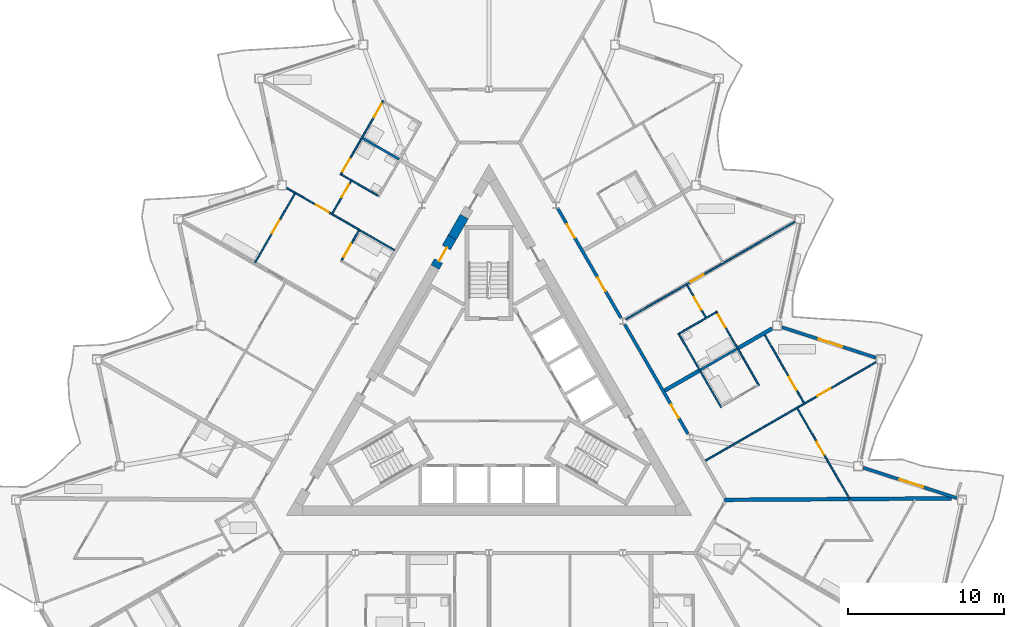
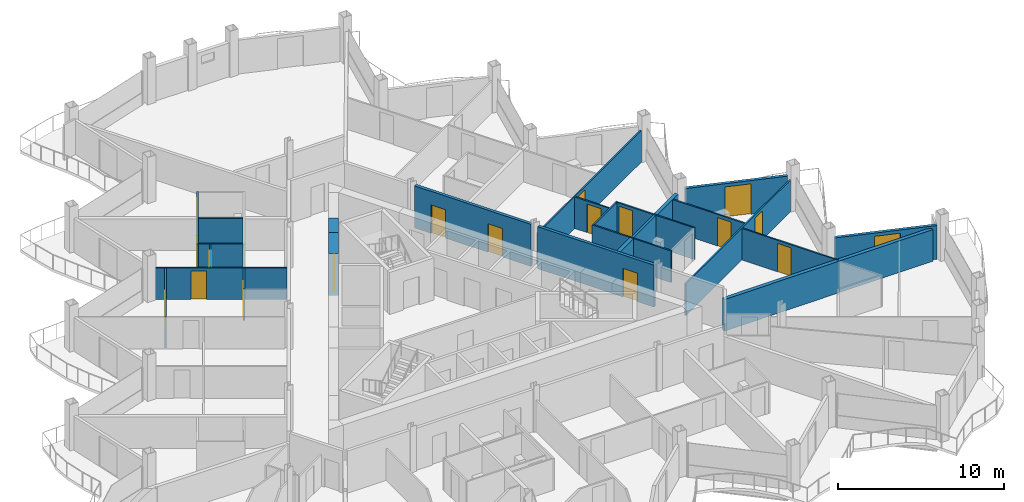
# One storey, part 16 of 26: 26 walls, 18 doors, 18 openings.
"""IFC4 building model written with IfcOpenShell, lengths in metres."""

from ifc_helpers import new_model, si_unit, direction, frame, frame_2d, origin, place, context, subcontext, project, spatial, rectangle, extrude, material, layer, layer_set, type_object, element, fill, save


model = new_model("IFC4")

# Units and contexts
model_context = context("Model", 3, precision=1e-05, world=origin(), true_north=direction((0.0, 1.0)))
body_context = subcontext(model_context, "Body", "Model", "MODEL_VIEW")
ifc_project = project(units=[si_unit("LENGTHUNIT", "METRE"), si_unit("AREAUNIT", "SQUARE_METRE"), si_unit("VOLUMEUNIT", "CUBIC_METRE"), si_unit("PLANEANGLEUNIT", "RADIAN"), si_unit("MASSUNIT", "GRAM", prefix="KILO")], contexts=[model_context])

# Site, building, storey
site_placement = place(None, origin())
site = spatial("IfcSite", under=ifc_project, at=site_placement, CompositionType="ELEMENT")
building_placement = place(site_placement, origin())
building = spatial("IfcBuilding", under=site, at=building_placement, Name="Cormorant Prow Tower", CompositionType="ELEMENT")
storey_placement = place(building_placement, frame((0.0, 0.0, 342.60009765625)))
storey = spatial("IfcBuildingStorey", under=building, at=storey_placement, Name="L77", CompositionType="ELEMENT", Elevation=342.60009765625)

# Wall
ifc_material_1 = material(Name="Concrete 8000 psi", Category="concrete")
ifc_layer_1 = layer(ifc_material_1, 0.60009765625)
ifc_layer_set_1 = layer_set([ifc_layer_1], Name="Concrete 8000 psi")
wall_type_1 = type_object("IfcWallType", Name="Core shear wall 600", PredefinedType="SHEAR", material=ifc_layer_set_1)
wall_1_placement = place(storey_placement, frame((-1.589599609375, 11.65771484375, 0.0), z_axis=(0.0, 0.0, 1.0), x_axis=(-0.500037594623, -0.866003697431, 0.0)))
element("IfcWall", 1, at=wall_1_placement, inside=storey, type_object=wall_type_1, Name="Core wall", PredefinedType="SHEAR", context=body_context, shape_type="SweptSolid", body=[
    extrude(rectangle(XDim=1.54248046875, YDim=0.60009765625, at=frame_2d((0.771240234375, 0.0))), origin(), (0.0, 0.0, 1.0), 3.099853515625),
])

# Wall, opening, door
wall_2_placement = place(storey_placement, frame((-2.36083984375, 10.322021484375, 0.0), z_axis=(0.0, 0.0, 1.0), x_axis=(-0.499946605688, -0.86605622881, 0.0)))
wall_2 = element("IfcWall", 2, at=wall_2_placement, inside=storey, type_object=wall_type_1, Name="Core wall door panel", PredefinedType="SHEAR", context=body_context, shape_type="SweptSolid", body=[
    extrude(rectangle(XDim=2.199951171875, YDim=0.60009765625, at=frame_2d((1.10009765625, 0.0))), origin(), (0.0, 0.0, 1.0), 3.099853515625),
])
opening_1_placement = place(wall_2_placement, frame((0.75, 0.0, 0.0)))
opening_1 = element("IfcOpeningElement", 3, at=opening_1_placement, cuts=wall_2, Name="Opening L77-C18", PredefinedType="OPENING", context=body_context, shape_type="SweptSolid", body=[
    extrude(rectangle(XDim=1.0, YDim=2.10009765625, at=frame_2d((0.5, 1.050048828125))), frame((0.0, 0.31005859375, 0.0), z_axis=(0.0, -1.0, 0.0), x_axis=(1.0, 0.0, 0.0)), (0.0, 0.0, 1.0), 0.6201171875),
])
ifc_material_2 = material(Name="Painted steel", Category="steel")
door_type_1 = type_object("IfcDoorType", Name="Service door 1000x2100", OperationType="NOTDEFINED", PredefinedType="DOOR", material=ifc_material_2)
door_1_placement = place(opening_1_placement, origin())
door_1 = element("IfcDoor", 4, at=door_1_placement, inside=storey, type_object=door_type_1, Name="Core door, Mechanical riser room", OperationType="SINGLE_SWING_LEFT", OverallHeight=2.10009765625, OverallWidth=1.0, PredefinedType="DOOR", context=body_context, shape_type="SweptSolid", body=[
    extrude(rectangle(XDim=1.0, YDim=2.10009765625, at=frame_2d((0.5, 1.050048828125))), frame((0.0, 0.05517578125, 0.0), z_axis=(0.0, -1.0, 0.0), x_axis=(1.0, 0.0, 0.0)), (0.0, 0.0, 1.0), 0.050048828125),
])
fill(opening_1, door_1)

# Wall, openings, doors
ifc_material_3 = material(Name="Gypsum board corridor wall")
ifc_layer_2 = layer(ifc_material_3, 0.199951171875)
ifc_layer_set_2 = layer_set([ifc_layer_2], Name="Gypsum board corridor wall")
wall_type_2 = type_object("IfcWallType", Name="Corridor wall 200", PredefinedType="PARTITIONING", material=ifc_layer_set_2)
wall_3_placement = place(storey_placement, frame((4.4091796875, 12.17431640625, 0.0), z_axis=(0.0, 0.0, 1.0), x_axis=(0.499984266882, -0.866034487114, 0.0)))
wall_3 = element("IfcWall", 5, at=wall_3_placement, inside=storey, type_object=wall_type_2, Name="Corridor wall", PredefinedType="PARTITIONING", context=body_context, shape_type="SweptSolid", body=[
    extrude(rectangle(XDim=8.098876953125, YDim=0.199951171875, at=frame_2d((4.04931640625, 0.0))), origin(), (0.0, 0.0, 1.0), 3.099853515625),
])
opening_2_placement = place(wall_3_placement, frame((5.123046875, 0.0, 0.0)))
opening_2 = element("IfcOpeningElement", 6, at=opening_2_placement, cuts=wall_3, Name="Opening L77-F28", PredefinedType="OPENING", context=body_context, shape_type="SweptSolid", body=[
    extrude(rectangle(XDim=1.0, YDim=2.10009765625, at=frame_2d((0.5, 1.050048828125))), frame((0.0, 0.10986328125, 0.0), z_axis=(0.0, -1.0, 0.0), x_axis=(1.0, 0.0, 0.0)), (0.0, 0.0, 1.0), 0.219970703125),
])
opening_3_placement = place(wall_3_placement, frame((1.16357421875, 0.0, 0.0)))
opening_3 = element("IfcOpeningElement", 7, at=opening_3_placement, cuts=wall_3, Name="Opening L77-F33", PredefinedType="OPENING", context=body_context, shape_type="SweptSolid", body=[
    extrude(rectangle(XDim=1.0, YDim=2.10009765625, at=frame_2d((0.5, 1.050048828125))), frame((0.0, 0.10986328125, 0.0), z_axis=(0.0, -1.0, 0.0), x_axis=(1.0, 0.0, 0.0)), (0.0, 0.0, 1.0), 0.219970703125),
])
ifc_material_4 = material(Name="Timber door leaf", Category="wood")
door_type_2 = type_object("IfcDoorType", Name="Flat or room entrance door 1000x2100", OperationType="NOTDEFINED", PredefinedType="DOOR", material=ifc_material_4)
door_2_placement = place(opening_2_placement, origin())
door_2 = element("IfcDoor", 8, at=door_2_placement, inside=storey, type_object=door_type_2, Name="Living room door", OperationType="SINGLE_SWING_RIGHT", OverallHeight=2.10009765625, OverallWidth=1.0, PredefinedType="DOOR", context=body_context, shape_type="SweptSolid", body=[
    extrude(rectangle(XDim=1.0, YDim=2.10009765625, at=frame_2d((0.5, 1.050048828125))), frame((0.0, 0.02490234375, 0.0), z_axis=(0.0, -1.0, 0.0), x_axis=(1.0, 0.0, 0.0)), (0.0, 0.0, 1.0), 0.050048828125),
])
fill(opening_2, door_2)
door_3_placement = place(opening_3_placement, origin())
door_3 = element("IfcDoor", 9, at=door_3_placement, inside=storey, type_object=door_type_2, Name="Living room door", OperationType="SINGLE_SWING_RIGHT", OverallHeight=2.10009765625, OverallWidth=1.0, PredefinedType="DOOR", context=body_context, shape_type="SweptSolid", body=[
    extrude(rectangle(XDim=1.0, YDim=2.10009765625, at=frame_2d((0.5, 1.050048828125))), frame((0.0, 0.02490234375, 0.0), z_axis=(0.0, -1.0, 0.0), x_axis=(1.0, 0.0, 0.0)), (0.0, 0.0, 1.0), 0.050048828125),
])
fill(opening_3, door_3)

# Wall, opening, door
wall_4_placement = place(storey_placement, frame((8.698486328125, 4.7451171875, 0.0), z_axis=(0.0, 0.0, 1.0), x_axis=(0.499984266882, -0.866034487114, 0.0)))
wall_4 = element("IfcWall", 10, at=wall_4_placement, inside=storey, type_object=wall_type_2, Name="Corridor wall", PredefinedType="PARTITIONING", context=body_context, shape_type="SweptSolid", body=[
    extrude(rectangle(XDim=8.098876953125, YDim=0.199951171875, at=frame_2d((4.04931640625, 0.0))), origin(), (0.0, 0.0, 1.0), 3.099853515625),
])
opening_4_placement = place(wall_4_placement, frame((5.93505859375, 0.0, 0.0)))
opening_4 = element("IfcOpeningElement", 11, at=opening_4_placement, cuts=wall_4, Name="Opening L77-F23", PredefinedType="OPENING", context=body_context, shape_type="SweptSolid", body=[
    extrude(rectangle(XDim=1.0, YDim=2.10009765625, at=frame_2d((0.5, 1.050048828125))), frame((0.0, 0.10986328125, 0.0), z_axis=(0.0, -1.0, 0.0), x_axis=(1.0, 0.0, 0.0)), (0.0, 0.0, 1.0), 0.219970703125),
])
door_4_placement = place(opening_4_placement, origin())
door_4 = element("IfcDoor", 12, at=door_4_placement, inside=storey, type_object=door_type_2, Name="Living room door", OperationType="SINGLE_SWING_LEFT", OverallHeight=2.10009765625, OverallWidth=1.0, PredefinedType="DOOR", context=body_context, shape_type="SweptSolid", body=[
    extrude(rectangle(XDim=1.0, YDim=2.10009765625, at=frame_2d((0.5, 1.050048828125))), frame((0.0, 0.02490234375, 0.0), z_axis=(0.0, -1.0, 0.0), x_axis=(1.0, 0.0, 0.0)), (0.0, 0.0, 1.0), 0.050048828125),
])
fill(opening_4, door_4)

ifc_material_5 = material(Name="Gypsum board partition")
ifc_layer_3 = layer(ifc_material_5, 0.10009765625)
ifc_layer_set_3 = layer_set([ifc_layer_3], Name="Gypsum board partition")
wall_type_3 = type_object("IfcWallType", Name="Internal partition 100", PredefinedType="PARTITIONING", material=ifc_layer_set_3)
wall_5_placement = place(storey_placement, frame((13.862548828125, -3.99951171875, 0.0), z_axis=(0.0, 0.0, 1.0), x_axis=(0.866033203648, 0.499986489997, 0.0)))
wall_5 = element("IfcWall", 13, at=wall_5_placement, inside=storey, type_object=wall_type_3, Name="Internal partition", PredefinedType="PARTITIONING", context=body_context, shape_type="SweptSolid", body=[
    extrude(rectangle(XDim=12.646240234375, YDim=0.10009765625, at=frame_2d((6.3232421875, 0.0))), origin(), (0.0, 0.0, 1.0), 2.330078125),
])
opening_5_placement = place(wall_5_placement, frame((8.3193359375, 0.0, 0.0)))
opening_5 = element("IfcOpeningElement", 14, at=opening_5_placement, cuts=wall_5, Name="Opening L77-F26", PredefinedType="OPENING", context=body_context, shape_type="SweptSolid", body=[
    extrude(rectangle(XDim=0.949951171875, YDim=2.10009765625, at=frame_2d((0.47509765625, 1.050048828125))), frame((0.0, 0.06005859375, 0.0), z_axis=(0.0, -1.0, 0.0), x_axis=(1.0, 0.0, 0.0)), (0.0, 0.0, 1.0), 0.1201171875),
])
ifc_material_6 = material(Name="Timber door leaf", Category="wood")
door_type_3 = type_object("IfcDoorType", Name="Bathroom door 950x2100", OperationType="NOTDEFINED", PredefinedType="DOOR", material=ifc_material_6)
door_5_placement = place(opening_5_placement, origin())
door_5 = element("IfcDoor", 15, at=door_5_placement, inside=storey, type_object=door_type_3, Name="Kitchen door", OperationType="SINGLE_SWING_LEFT", OverallHeight=2.10009765625, OverallWidth=0.949951171875, PredefinedType="DOOR", context=body_context, shape_type="SweptSolid", body=[
    extrude(rectangle(XDim=0.949951171875, YDim=2.10009765625, at=frame_2d((0.47509765625, 1.050048828125))), frame((0.0, 0.02490234375, 0.0), z_axis=(0.0, -1.0, 0.0), x_axis=(1.0, 0.0, 0.0)), (0.0, 0.0, 1.0), 0.050048828125),
])
fill(opening_5, door_5)

wall_6_placement = place(storey_placement, frame((8.7861328125, 5.07275390625, 0.0), z_axis=(0.0, 0.0, 1.0), x_axis=(0.86602139559, 0.500006942333, 0.0)))
wall_6 = element("IfcWall", 16, at=wall_6_placement, inside=storey, type_object=wall_type_3, Name="Internal partition", PredefinedType="PARTITIONING", context=body_context, shape_type="SweptSolid", body=[
    extrude(rectangle(XDim=12.504638671875, YDim=0.10009765625, at=frame_2d((6.25244140625, 0.0))), origin(), (0.0, 0.0, 1.0), 2.330078125),
])
opening_6_placement = place(wall_6_placement, frame((4.7724609375, 0.0, 0.0)))
opening_6 = element("IfcOpeningElement", 17, at=opening_6_placement, cuts=wall_6, Name="Opening L77-F30", PredefinedType="OPENING", context=body_context, shape_type="SweptSolid", body=[
    extrude(rectangle(XDim=0.949951171875, YDim=2.10009765625, at=frame_2d((0.47509765625, 1.050048828125))), frame((0.0, 0.06005859375, 0.0), z_axis=(0.0, -1.0, 0.0), x_axis=(1.0, 0.0, 0.0)), (0.0, 0.0, 1.0), 0.1201171875),
])
door_6_placement = place(opening_6_placement, origin())
door_6 = element("IfcDoor", 18, at=door_6_placement, inside=storey, type_object=door_type_3, Name="Living room door", OperationType="SINGLE_SWING_LEFT", OverallHeight=2.10009765625, OverallWidth=0.949951171875, PredefinedType="DOOR", context=body_context, shape_type="SweptSolid", body=[
    extrude(rectangle(XDim=0.949951171875, YDim=2.10009765625, at=frame_2d((0.47509765625, 1.050048828125))), frame((0.0, 0.02490234375, 0.0), z_axis=(0.0, -1.0, 0.0), x_axis=(1.0, 0.0, 0.0)), (0.0, 0.0, 1.0), 0.050048828125),
])
fill(opening_6, door_6)

wall_7_placement = place(storey_placement, frame((-12.9619140625, 13.485107421875, 0.0), z_axis=(0.0, 0.0, 1.0), x_axis=(0.866021168401, -0.500007335828, 0.0)))
wall_7 = element("IfcWall", 19, at=wall_7_placement, inside=storey, type_object=wall_type_3, Name="Internal partition", PredefinedType="PARTITIONING", context=body_context, shape_type="SweptSolid", body=[
    extrude(rectangle(XDim=7.96240234375, YDim=0.10009765625, at=frame_2d((3.981201171875, 0.0))), origin(), (0.0, 0.0, 1.0), 2.330078125),
])
opening_7_placement = place(wall_7_placement, frame((2.153564453125, 0.0, 0.0)))
opening_7 = element("IfcOpeningElement", 20, at=opening_7_placement, cuts=wall_7, Name="Opening L77-F45", PredefinedType="OPENING", context=body_context, shape_type="SweptSolid", body=[
    extrude(rectangle(XDim=0.949951171875, YDim=2.10009765625, at=frame_2d((0.47509765625, 1.050048828125))), frame((0.0, 0.06005859375, 0.0), z_axis=(0.0, -1.0, 0.0), x_axis=(1.0, 0.0, 0.0)), (0.0, 0.0, 1.0), 0.1201171875),
])
door_7_placement = place(opening_7_placement, origin())
door_7 = element("IfcDoor", 21, at=door_7_placement, inside=storey, type_object=door_type_3, Name="Living room door", OperationType="SINGLE_SWING_RIGHT", OverallHeight=2.10009765625, OverallWidth=0.949951171875, PredefinedType="DOOR", context=body_context, shape_type="SweptSolid", body=[
    extrude(rectangle(XDim=0.949951171875, YDim=2.10009765625, at=frame_2d((0.47509765625, 1.050048828125))), frame((0.0, 0.02490234375, 0.0), z_axis=(0.0, -1.0, 0.0), x_axis=(1.0, 0.0, 0.0)), (0.0, 0.0, 1.0), 0.050048828125),
])
fill(opening_7, door_7)

wall_8_placement = place(storey_placement, frame((19.772705078125, -0.64501953125, 0.0), z_axis=(0.0, 0.0, 1.0), x_axis=(0.499998644583, -0.866026186333, 0.0)))
wall_8 = element("IfcWall", 22, at=wall_8_placement, inside=storey, type_object=wall_type_3, Name="Internal partition", PredefinedType="PARTITIONING", context=body_context, shape_type="SweptSolid", body=[
    extrude(rectangle(XDim=6.7080078125, YDim=0.10009765625, at=frame_2d((3.35400390625, 0.0))), origin(), (0.0, 0.0, 1.0), 2.330078125),
])
opening_8_placement = place(wall_8_placement, frame((2.474609375, 0.0, 0.0)))
opening_8 = element("IfcOpeningElement", 23, at=opening_8_placement, cuts=wall_8, Name="Opening L77-F27", PredefinedType="OPENING", context=body_context, shape_type="SweptSolid", body=[
    extrude(rectangle(XDim=0.949951171875, YDim=2.10009765625, at=frame_2d((0.47509765625, 1.050048828125))), frame((0.0, 0.06005859375, 0.0), z_axis=(0.0, -1.0, 0.0), x_axis=(1.0, 0.0, 0.0)), (0.0, 0.0, 1.0), 0.1201171875),
])
door_8_placement = place(opening_8_placement, origin())
door_8 = element("IfcDoor", 24, at=door_8_placement, inside=storey, type_object=door_type_3, Name="Bedroom door", OperationType="SINGLE_SWING_LEFT", OverallHeight=2.10009765625, OverallWidth=0.949951171875, PredefinedType="DOOR", context=body_context, shape_type="SweptSolid", body=[
    extrude(rectangle(XDim=0.949951171875, YDim=2.10009765625, at=frame_2d((0.47509765625, 1.050048828125))), frame((0.0, 0.02490234375, 0.0), z_axis=(0.0, -1.0, 0.0), x_axis=(1.0, 0.0, 0.0)), (0.0, 0.0, 1.0), 0.050048828125),
])
fill(opening_8, door_8)

# Wall, openings, doors
wall_9_placement = place(storey_placement, frame((-9.51904296875, 14.323486328125, 0.0), z_axis=(0.0, 0.0, 1.0), x_axis=(0.499996545922, 0.866027397988, 0.0)))
wall_9 = element("IfcWall", 25, at=wall_9_placement, inside=storey, type_object=wall_type_3, Name="Internal partition", PredefinedType="PARTITIONING", context=body_context, shape_type="SweptSolid", body=[
    extrude(rectangle(XDim=5.5, YDim=0.10009765625, at=frame_2d((2.75, 0.0))), origin(), (0.0, 0.0, 1.0), 2.330078125),
])
opening_9_placement = place(wall_9_placement, frame((4.300048828125, 0.0, 0.0)))
opening_9 = element("IfcOpeningElement", 26, at=opening_9_placement, cuts=wall_9, Name="Opening L77-F41", PredefinedType="OPENING", context=body_context, shape_type="SweptSolid", body=[
    extrude(rectangle(XDim=0.949951171875, YDim=2.10009765625, at=frame_2d((0.47509765625, 1.050048828125))), frame((0.0, 0.06005859375, 0.0), z_axis=(0.0, -1.0, 0.0), x_axis=(1.0, 0.0, 0.0)), (0.0, 0.0, 1.0), 0.1201171875),
])
opening_10_placement = place(wall_9_placement, frame((0.25, 0.0, 0.0)))
opening_10 = element("IfcOpeningElement", 27, at=opening_10_placement, cuts=wall_9, Name="Opening L77-F51", PredefinedType="OPENING", context=body_context, shape_type="SweptSolid", body=[
    extrude(rectangle(XDim=0.949951171875, YDim=2.10009765625, at=frame_2d((0.47509765625, 1.050048828125))), frame((0.0, 0.06005859375, 0.0), z_axis=(0.0, -1.0, 0.0), x_axis=(1.0, 0.0, 0.0)), (0.0, 0.0, 1.0), 0.1201171875),
])
door_9_placement = place(opening_9_placement, origin())
door_9 = element("IfcDoor", 28, at=door_9_placement, inside=storey, type_object=door_type_3, Name="Studio living, kitchen and sleeping room door", OperationType="SINGLE_SWING_RIGHT", OverallHeight=2.10009765625, OverallWidth=0.949951171875, PredefinedType="DOOR", context=body_context, shape_type="SweptSolid", body=[
    extrude(rectangle(XDim=0.949951171875, YDim=2.10009765625, at=frame_2d((0.47509765625, 1.050048828125))), frame((0.0, 0.02490234375, 0.0), z_axis=(0.0, -1.0, 0.0), x_axis=(1.0, 0.0, 0.0)), (0.0, 0.0, 1.0), 0.050048828125),
])
fill(opening_9, door_9)
door_10_placement = place(opening_10_placement, origin())
door_10 = element("IfcDoor", 29, at=door_10_placement, inside=storey, type_object=door_type_3, Name="Bedroom door", OperationType="SINGLE_SWING_LEFT", OverallHeight=2.10009765625, OverallWidth=0.949951171875, PredefinedType="DOOR", context=body_context, shape_type="SweptSolid", body=[
    extrude(rectangle(XDim=0.949951171875, YDim=2.10009765625, at=frame_2d((0.47509765625, 1.050048828125))), frame((0.0, 0.02490234375, 0.0), z_axis=(0.0, -1.0, 0.0), x_axis=(1.0, 0.0, 0.0)), (0.0, 0.0, 1.0), 0.050048828125),
])
fill(opening_10, door_10)

# Wall, opening, door
wall_10_placement = place(storey_placement, frame((14.5654296875, 5.583251953125, 0.0), z_axis=(0.0, 0.0, 1.0), x_axis=(0.499996545922, -0.866027397988, 0.0)))
wall_10 = element("IfcWall", 30, at=wall_10_placement, inside=storey, type_object=wall_type_3, Name="Internal partition", PredefinedType="PARTITIONING", context=body_context, shape_type="SweptSolid", body=[
    extrude(rectangle(XDim=5.5, YDim=0.10009765625, at=frame_2d((2.75, 0.0))), origin(), (0.0, 0.0, 1.0), 2.330078125),
])
opening_11_placement = place(wall_10_placement, frame((0.25, 0.0, 0.0)))
opening_11 = element("IfcOpeningElement", 31, at=opening_11_placement, cuts=wall_10, Name="Opening L77-F32", PredefinedType="OPENING", context=body_context, shape_type="SweptSolid", body=[
    extrude(rectangle(XDim=0.949951171875, YDim=2.10009765625, at=frame_2d((0.47509765625, 1.050048828125))), frame((0.0, 0.06005859375, 0.0), z_axis=(0.0, -1.0, 0.0), x_axis=(1.0, 0.0, 0.0)), (0.0, 0.0, 1.0), 0.1201171875),
])
door_11_placement = place(opening_11_placement, origin())
door_11 = element("IfcDoor", 32, at=door_11_placement, inside=storey, type_object=door_type_3, Name="Bedroom door", OperationType="SINGLE_SWING_LEFT", OverallHeight=2.10009765625, OverallWidth=0.949951171875, PredefinedType="DOOR", context=body_context, shape_type="SweptSolid", body=[
    extrude(rectangle(XDim=0.949951171875, YDim=2.10009765625, at=frame_2d((0.47509765625, 1.050048828125))), frame((0.0, 0.02490234375, 0.0), z_axis=(0.0, -1.0, 0.0), x_axis=(1.0, 0.0, 0.0)), (0.0, 0.0, 1.0), 0.050048828125),
])
fill(opening_11, door_11)

# Wall
wall_11_placement = place(storey_placement, frame((12.140380859375, 4.18310546875, 0.0), z_axis=(0.0, 0.0, 1.0), x_axis=(0.499996545922, -0.866027397988, 0.0)))
element("IfcWall", 33, at=wall_11_placement, inside=storey, type_object=wall_type_3, Name="Internal partition", PredefinedType="PARTITIONING", context=body_context, shape_type="SweptSolid", body=[
    extrude(rectangle(XDim=5.5, YDim=0.10009765625, at=frame_2d((2.75, 0.0))), origin(), (0.0, 0.0, 1.0), 2.330078125),
])

# Wall, opening, door
wall_12_placement = place(storey_placement, frame((-14.993896484375, 8.71435546875, 0.0), z_axis=(0.0, 0.0, 1.0), x_axis=(0.500012659481, 0.866018094706, 0.0)))
wall_12 = element("IfcWall", 34, at=wall_12_placement, inside=storey, type_object=wall_type_3, Name="Internal partition", PredefinedType="PARTITIONING", context=body_context, shape_type="SweptSolid", body=[
    extrude(rectangle(XDim=5.097412109375, YDim=0.10009765625, at=frame_2d((2.548828125, 0.0))), origin(), (0.0, 0.0, 1.0), 2.330078125),
])
opening_12_placement = place(wall_12_placement, frame((2.175048828125, 0.0, 0.0)))
opening_12 = element("IfcOpeningElement", 35, at=opening_12_placement, cuts=wall_12, Name="Opening L77-F44", PredefinedType="OPENING", context=body_context, shape_type="SweptSolid", body=[
    extrude(rectangle(XDim=0.949951171875, YDim=2.10009765625, at=frame_2d((0.47509765625, 1.050048828125))), frame((0.0, 0.06005859375, 0.0), z_axis=(0.0, -1.0, 0.0), x_axis=(1.0, 0.0, 0.0)), (0.0, 0.0, 1.0), 0.1201171875),
])
door_12_placement = place(opening_12_placement, origin())
door_12 = element("IfcDoor", 36, at=door_12_placement, inside=storey, type_object=door_type_3, Name="Living room door", OperationType="SINGLE_SWING_LEFT", OverallHeight=2.10009765625, OverallWidth=0.949951171875, PredefinedType="DOOR", context=body_context, shape_type="SweptSolid", body=[
    extrude(rectangle(XDim=0.949951171875, YDim=2.10009765625, at=frame_2d((0.47509765625, 1.050048828125))), frame((0.0, 0.02490234375, 0.0), z_axis=(0.0, -1.0, 0.0), x_axis=(1.0, 0.0, 0.0)), (0.0, 0.0, 1.0), 0.050048828125),
])
fill(opening_12, door_12)

wall_13_placement = place(storey_placement, frame((17.68017578125, 4.061767578125, 0.0), z_axis=(0.0, 0.0, 1.0), x_axis=(0.499997360652, -0.866026927608, 0.0)))
wall_13 = element("IfcWall", 37, at=wall_13_placement, inside=storey, type_object=wall_type_3, Name="Internal partition", PredefinedType="PARTITIONING", context=body_context, shape_type="SweptSolid", body=[
    extrude(rectangle(XDim=5.0224609375, YDim=0.10009765625, at=frame_2d((2.51123046875, 0.0))), origin(), (0.0, 0.0, 1.0), 2.330078125),
])
opening_13_placement = place(wall_13_placement, frame((3.10791015625, 0.0, 0.0)))
opening_13 = element("IfcOpeningElement", 38, at=opening_13_placement, cuts=wall_13, Name="Opening L77-F25", PredefinedType="OPENING", context=body_context, shape_type="SweptSolid", body=[
    extrude(rectangle(XDim=0.949951171875, YDim=2.10009765625, at=frame_2d((0.47509765625, 1.050048828125))), frame((0.0, 0.06005859375, 0.0), z_axis=(0.0, -1.0, 0.0), x_axis=(1.0, 0.0, 0.0)), (0.0, 0.0, 1.0), 0.1201171875),
])
door_13_placement = place(opening_13_placement, origin())
door_13 = element("IfcDoor", 39, at=door_13_placement, inside=storey, type_object=door_type_3, Name="Living room door", OperationType="SINGLE_SWING_RIGHT", OverallHeight=2.10009765625, OverallWidth=0.949951171875, PredefinedType="DOOR", context=body_context, shape_type="SweptSolid", body=[
    extrude(rectangle(XDim=0.949951171875, YDim=2.10009765625, at=frame_2d((0.47509765625, 1.050048828125))), frame((0.0, 0.02490234375, 0.0), z_axis=(0.0, -1.0, 0.0), x_axis=(1.0, 0.0, 0.0)), (0.0, 0.0, 1.0), 0.050048828125),
])
fill(opening_13, door_13)

# Walls
wall_14_placement = place(storey_placement, frame((-9.45068359375, 14.341796875, 0.0), z_axis=(0.0, 0.0, 1.0), x_axis=(0.866036505625, -0.499980770555, 0.0)))
element("IfcWall", 40, at=wall_14_placement, inside=storey, type_object=wall_type_3, Name="Internal partition", PredefinedType="PARTITIONING", context=body_context, shape_type="SweptSolid", body=[
    extrude(rectangle(XDim=2.69970703125, YDim=0.10009765625, at=frame_2d((1.349853515625, 0.0))), origin(), (0.0, 0.0, 1.0), 2.330078125),
])
wall_15_placement = place(storey_placement, frame((12.208740234375, 4.164794921875, 0.0), z_axis=(0.0, 0.0, 1.0), x_axis=(0.866019956843, 0.50000943426, 0.0)))
element("IfcWall", 41, at=wall_15_placement, inside=storey, type_object=wall_type_3, Name="Internal partition", PredefinedType="PARTITIONING", context=body_context, shape_type="SweptSolid", body=[
    extrude(rectangle(XDim=2.7001953125, YDim=0.10009765625, at=frame_2d((1.35009765625, 0.0))), origin(), (0.0, 0.0, 1.0), 2.330078125),
])

# Wall, opening, door
wall_16_placement = place(storey_placement, frame((12.696044921875, 7.272216796875, 0.0), z_axis=(0.0, 0.0, 1.0), x_axis=(0.500016292001, -0.866015997389, 0.0)))
wall_16 = element("IfcWall", 42, at=wall_16_placement, inside=storey, type_object=wall_type_3, Name="Internal partition", PredefinedType="PARTITIONING", context=body_context, shape_type="SweptSolid", body=[
    extrude(rectangle(XDim=2.3974609375, YDim=0.10009765625, at=frame_2d((1.19873046875, 0.0))), origin(), (0.0, 0.0, 1.0), 2.330078125),
])
opening_14_placement = place(wall_16_placement, frame((0.881591796875, 0.0, 0.0)))
opening_14 = element("IfcOpeningElement", 43, at=opening_14_placement, cuts=wall_16, Name="Opening L77-F31", PredefinedType="OPENING", context=body_context, shape_type="SweptSolid", body=[
    extrude(rectangle(XDim=0.949951171875, YDim=2.10009765625, at=frame_2d((0.47509765625, 1.050048828125))), frame((0.0, 0.06005859375, 0.0), z_axis=(0.0, -1.0, 0.0), x_axis=(1.0, 0.0, 0.0)), (0.0, 0.0, 1.0), 0.1201171875),
])
door_14_placement = place(opening_14_placement, origin())
door_14 = element("IfcDoor", 44, at=door_14_placement, inside=storey, type_object=door_type_3, Name="Bedroom door", OperationType="SINGLE_SWING_RIGHT", OverallHeight=2.10009765625, OverallWidth=0.949951171875, PredefinedType="DOOR", context=body_context, shape_type="SweptSolid", body=[
    extrude(rectangle(XDim=0.949951171875, YDim=2.10009765625, at=frame_2d((0.47509765625, 1.050048828125))), frame((0.0, 0.02490234375, 0.0), z_axis=(0.0, -1.0, 0.0), x_axis=(1.0, 0.0, 0.0)), (0.0, 0.0, 1.0), 0.050048828125),
])
fill(opening_14, door_14)

wall_17_placement = place(storey_placement, frame((-10.04736328125, 11.860107421875, 0.0), z_axis=(0.0, 0.0, 1.0), x_axis=(0.500092661743, 0.865971898892, 0.0)))
wall_17 = element("IfcWall", 45, at=wall_17_placement, inside=storey, type_object=wall_type_3, Name="Internal partition", PredefinedType="PARTITIONING", context=body_context, shape_type="SweptSolid", body=[
    extrude(rectangle(XDim=2.3974609375, YDim=0.10009765625, at=frame_2d((1.19873046875, 0.0))), origin(), (0.0, 0.0, 1.0), 2.330078125),
])
opening_15_placement = place(wall_17_placement, frame((1.197509765625, 0.0, 0.0)))
opening_15 = element("IfcOpeningElement", 46, at=opening_15_placement, cuts=wall_17, Name="Opening L77-F46", PredefinedType="OPENING", context=body_context, shape_type="SweptSolid", body=[
    extrude(rectangle(XDim=0.949951171875, YDim=2.10009765625, at=frame_2d((0.47509765625, 1.050048828125))), frame((0.0, 0.06005859375, 0.0), z_axis=(0.0, -1.0, 0.0), x_axis=(1.0, 0.0, 0.0)), (0.0, 0.0, 1.0), 0.1201171875),
])
door_15_placement = place(opening_15_placement, origin())
door_15 = element("IfcDoor", 47, at=door_15_placement, inside=storey, type_object=door_type_3, Name="Bedroom door", OperationType="SINGLE_SWING_RIGHT", OverallHeight=2.10009765625, OverallWidth=0.949951171875, PredefinedType="DOOR", context=body_context, shape_type="SweptSolid", body=[
    extrude(rectangle(XDim=0.949951171875, YDim=2.10009765625, at=frame_2d((0.47509765625, 1.050048828125))), frame((0.0, 0.02490234375, 0.0), z_axis=(0.0, -1.0, 0.0), x_axis=(1.0, 0.0, 0.0)), (0.0, 0.0, 1.0), 0.050048828125),
])
fill(opening_15, door_15)

wall_18_placement = place(storey_placement, frame((-9.443115234375, 8.85546875, 0.0), z_axis=(0.0, 0.0, 1.0), x_axis=(0.50002983664, 0.866008176907, 0.0)))
wall_18 = element("IfcWall", 48, at=wall_18_placement, inside=storey, type_object=wall_type_3, Name="Internal partition", PredefinedType="PARTITIONING", context=body_context, shape_type="SweptSolid", body=[
    extrude(rectangle(XDim=2.199951171875, YDim=0.10009765625, at=frame_2d((1.10009765625, 0.0))), origin(), (0.0, 0.0, 1.0), 2.330078125),
])
opening_16_placement = place(wall_18_placement, frame((0.25, 0.0, 0.0)))
opening_16 = element("IfcOpeningElement", 49, at=opening_16_placement, cuts=wall_18, Name="Opening L77-F43", PredefinedType="OPENING", context=body_context, shape_type="SweptSolid", body=[
    extrude(rectangle(XDim=0.949951171875, YDim=2.10009765625, at=frame_2d((0.47509765625, 1.050048828125))), frame((0.0, 0.06005859375, 0.0), z_axis=(0.0, -1.0, 0.0), x_axis=(1.0, 0.0, 0.0)), (0.0, 0.0, 1.0), 0.1201171875),
])
door_16_placement = place(opening_16_placement, origin())
door_16 = element("IfcDoor", 50, at=door_16_placement, inside=storey, type_object=door_type_3, Name="Living room door", OperationType="SINGLE_SWING_LEFT", OverallHeight=2.10009765625, OverallWidth=0.949951171875, PredefinedType="DOOR", context=body_context, shape_type="SweptSolid", body=[
    extrude(rectangle(XDim=0.949951171875, YDim=2.10009765625, at=frame_2d((0.47509765625, 1.050048828125))), frame((0.0, 0.02490234375, 0.0), z_axis=(0.0, -1.0, 0.0), x_axis=(1.0, 0.0, 0.0)), (0.0, 0.0, 1.0), 0.050048828125),
])
fill(opening_16, door_16)

# Walls
ifc_material_7 = material(Name="Acoustic gypsum party wall")
ifc_layer_4 = layer(ifc_material_7, 0.25)
ifc_layer_set_4 = layer_set([ifc_layer_4], Name="Acoustic gypsum party wall")
wall_type_4 = type_object("IfcWallType", Name="Suite party wall 250", PredefinedType="PARTITIONING", material=ifc_layer_set_4)
wall_19_placement = place(storey_placement, frame((15.06884765625, -6.50634765625, 0.0), z_axis=(0.0, 0.0, 1.0), x_axis=(0.999979186485, 0.006451867641, 0.0)))
element("IfcWall", 51, at=wall_19_placement, inside=storey, type_object=wall_type_4, Name="Suite party wall", PredefinedType="PARTITIONING", context=body_context, shape_type="SweptSolid", body=[
    extrude(rectangle(XDim=8.097900390625, YDim=0.25, at=frame_2d((4.048828125, 0.0))), origin(), (0.0, 0.0, 1.0), 2.330078125),
])
wall_20_placement = place(storey_placement, frame((23.115234375, -6.45458984375, 0.0), z_axis=(0.0, 0.0, 1.0), x_axis=(0.999979299397, 0.006434343627, 0.0)))
element("IfcWall", 52, at=wall_20_placement, inside=storey, type_object=wall_type_4, Name="Suite party wall", PredefinedType="PARTITIONING", context=body_context, shape_type="SweptSolid", body=[
    extrude(rectangle(XDim=6.5263671875, YDim=0.25, at=frame_2d((3.26318359375, 0.0))), origin(), (0.0, 0.0, 1.0), 2.330078125),
])
wall_21_placement = place(storey_placement, frame((11.263916015625, 0.501708984375, 0.0), z_axis=(0.0, 0.0, 1.0), x_axis=(0.866030925526, 0.499990435942, 0.0)))
element("IfcWall", 53, at=wall_21_placement, inside=storey, type_object=wall_type_4, Name="Suite party wall", PredefinedType="PARTITIONING", context=body_context, shape_type="SweptSolid", body=[
    extrude(rectangle(XDim=2.5498046875, YDim=0.25, at=frame_2d((1.27490234375, 0.0))), origin(), (0.0, 0.0, 1.0), 2.330078125),
])
wall_22_placement = place(storey_placement, frame((15.983642578125, 3.2265625, 0.0), z_axis=(0.0, 0.0, 1.0), x_axis=(0.8660174017, 0.500013859761, 0.0)))
element("IfcWall", 54, at=wall_22_placement, inside=storey, type_object=wall_type_4, Name="Suite party wall", PredefinedType="PARTITIONING", context=body_context, shape_type="SweptSolid", body=[
    extrude(rectangle(XDim=2.51416015625, YDim=0.25, at=frame_2d((1.257080078125, 0.0))), origin(), (0.0, 0.0, 1.0), 2.330078125),
])

# Wall, opening, door
ifc_material_8 = material(Name="Terracotta", Category="masonry")
ifc_layer_5 = layer(ifc_material_8, 0.199951171875)
ifc_layer_set_5 = layer_set([ifc_layer_5], Name="Terracotta")
wall_type_5 = type_object("IfcWallType", Name="Terracotta jamb wall 200", PredefinedType="SOLIDWALL", material=ifc_layer_set_5)
wall_23_placement = place(storey_placement, frame((29.995849609375, -6.39306640625, 0.0), z_axis=(0.0, 0.0, 1.0), x_axis=(-0.951051127664, 0.309033578383, 0.0)))
wall_23 = element("IfcWall", 55, at=wall_23_placement, inside=storey, type_object=wall_type_5, Name="Terracotta jamb wall ENE01", PredefinedType="SOLIDWALL", context=body_context, shape_type="SweptSolid", body=[
    extrude(rectangle(XDim=6.309814453125, YDim=0.199951171875, at=frame_2d((3.15478515625, 0.0))), origin(), (0.0, 0.0, 1.0), 2.48779296875),
])
opening_17_placement = place(wall_23_placement, frame((2.262939453125, 0.0, 0.0)))
opening_17 = element("IfcOpeningElement", 56, at=opening_17_placement, cuts=wall_23, Name="Opening ED77.06", PredefinedType="OPENING", context=body_context, shape_type="SweptSolid", body=[
    extrude(rectangle(XDim=1.60009765625, YDim=2.25, at=frame_2d((0.800048828125, 1.125))), frame((0.0, 0.10986328125, 0.0), z_axis=(0.0, -1.0, 0.0), x_axis=(1.0, 0.0, 0.0)), (0.0, 0.0, 1.0), 0.219970703125),
])
ifc_material_9 = material(Name="Aluminium 6063-T6", Category="aluminium")
door_type_4 = type_object("IfcDoorType", Name="Balcony door 1600x2250", OperationType="DOUBLE_DOOR_SINGLE_SWING", PredefinedType="DOOR", material=ifc_material_9)
door_17_placement = place(opening_17_placement, origin())
door_17 = element("IfcDoor", 57, at=door_17_placement, inside=storey, type_object=door_type_4, Name="Balcony door ENE01 ED77.06", OperationType="DOUBLE_DOOR_SINGLE_SWING", OverallHeight=2.25, OverallWidth=1.60009765625, PredefinedType="DOOR", context=body_context, shape_type="SweptSolid", body=[
    extrude(rectangle(XDim=1.60009765625, YDim=2.25, at=frame_2d((0.800048828125, 1.125))), frame((0.0, 0.02490234375, 0.0), z_axis=(0.0, -1.0, 0.0), x_axis=(1.0, 0.0, 0.0)), (0.0, 0.0, 1.0), 0.050048828125),
])
fill(opening_17, door_17)

wall_24_placement = place(storey_placement, frame((24.79833984375, 2.609375, 0.0), z_axis=(0.0, 0.0, 1.0), x_axis=(-0.951065616977, 0.308988983952, 0.0)))
wall_24 = element("IfcWall", 58, at=wall_24_placement, inside=storey, type_object=wall_type_5, Name="Terracotta jamb wall ENE03", PredefinedType="SOLIDWALL", context=body_context, shape_type="SweptSolid", body=[
    extrude(rectangle(XDim=6.3115234375, YDim=0.199951171875, at=frame_2d((3.15576171875, 0.0))), origin(), (0.0, 0.0, 1.0), 2.48779296875),
])
opening_18_placement = place(wall_24_placement, frame((2.262939453125, 0.0, 0.0)))
opening_18 = element("IfcOpeningElement", 59, at=opening_18_placement, cuts=wall_24, Name="Opening ED77.07", PredefinedType="OPENING", context=body_context, shape_type="SweptSolid", body=[
    extrude(rectangle(XDim=1.60009765625, YDim=2.25, at=frame_2d((0.800048828125, 1.125))), frame((0.0, 0.10986328125, 0.0), z_axis=(0.0, -1.0, 0.0), x_axis=(1.0, 0.0, 0.0)), (0.0, 0.0, 1.0), 0.219970703125),
])
door_18_placement = place(opening_18_placement, origin())
door_18 = element("IfcDoor", 60, at=door_18_placement, inside=storey, type_object=door_type_4, Name="Balcony door ENE03 ED77.07", OperationType="DOUBLE_DOOR_SINGLE_SWING", OverallHeight=2.25, OverallWidth=1.60009765625, PredefinedType="DOOR", context=body_context, shape_type="SweptSolid", body=[
    extrude(rectangle(XDim=1.60009765625, YDim=2.25, at=frame_2d((0.800048828125, 1.125))), frame((0.0, 0.02490234375, 0.0), z_axis=(0.0, -1.0, 0.0), x_axis=(1.0, 0.0, 0.0)), (0.0, 0.0, 1.0), 0.050048828125),
])
fill(opening_18, door_18)

# Walls
ifc_material_10 = material(Name="Plasterboard wet wall with pipe chase")
ifc_layer_6 = layer(ifc_material_10, 0.14990234375)
ifc_layer_set_6 = layer_set([ifc_layer_6], Name="Plasterboard wet wall with pipe chase")
wall_type_6 = type_object("IfcWallType", Name="Wet wall 150", PredefinedType="PLUMBINGWALL", material=ifc_layer_set_6)
wall_25_placement = place(storey_placement, frame((-8.100830078125, 16.68017578125, 0.0), z_axis=(0.0, 0.0, 1.0), x_axis=(0.866019956843, -0.50000943426, 0.0)))
element("IfcWall", 61, at=wall_25_placement, inside=storey, type_object=wall_type_6, Name="Wet wall", PredefinedType="PLUMBINGWALL", context=body_context, shape_type="SweptSolid", body=[
    extrude(rectangle(XDim=2.7001953125, YDim=0.14990234375, at=frame_2d((1.35009765625, 0.0))), origin(), (0.0, 0.0, 1.0), 2.330078125),
])
wall_26_placement = place(storey_placement, frame((13.558837890625, 1.82666015625, 0.0), z_axis=(0.0, 0.0, 1.0), x_axis=(0.866059108428, 0.4999416173, 0.0)))
element("IfcWall", 62, at=wall_26_placement, inside=storey, type_object=wall_type_6, Name="Wet wall", PredefinedType="PLUMBINGWALL", context=body_context, shape_type="SweptSolid", body=[
    extrude(rectangle(XDim=2.699951171875, YDim=0.14990234375, at=frame_2d((1.35009765625, 0.0))), origin(), (0.0, 0.0, 1.0), 2.330078125),
])

save(model, "model.ifc")
